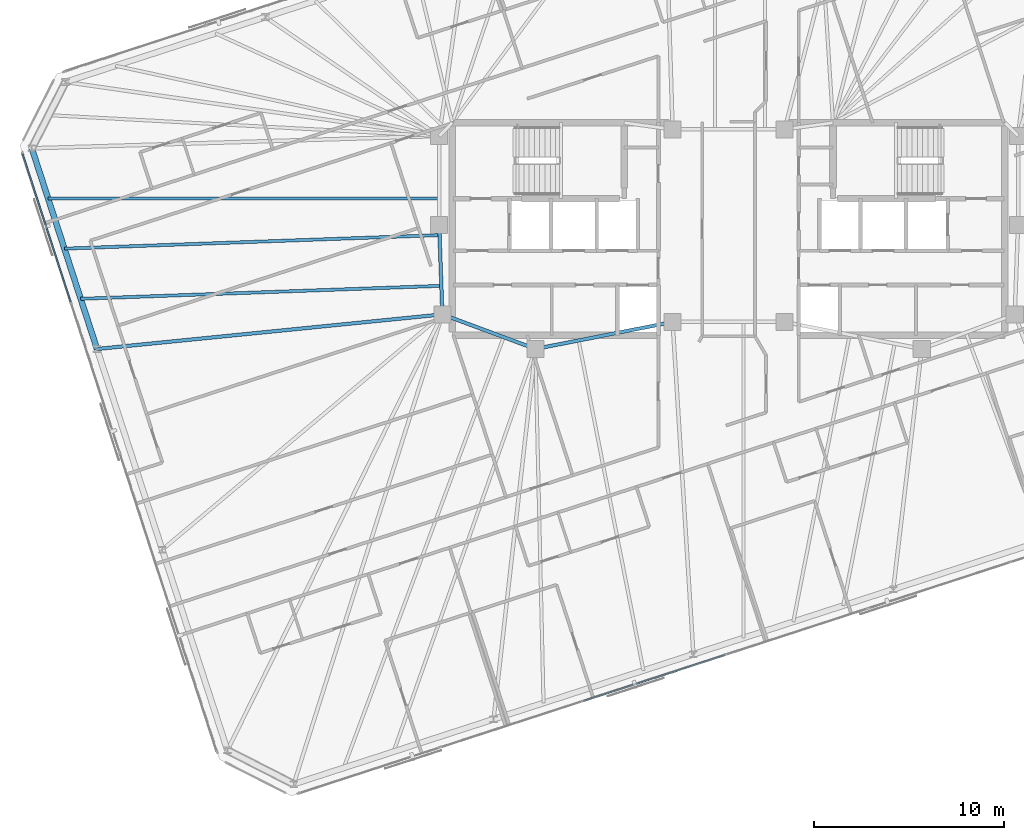
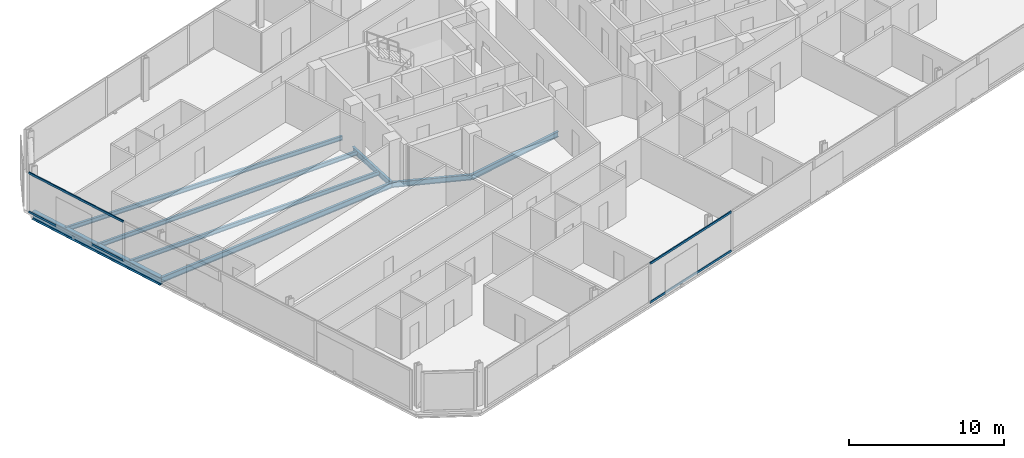
# One storey, part 6 of 19: 8 beams, 4 members, 2 elements without a shape of their own.
"""IFC4 building model written with IfcOpenShell, lengths in metres."""

from ifc_helpers import new_model, si_unit, direction, frame, origin, origin_2d, place, context, subcontext, project, spatial, rectangle, i_section, extrude, material, material_profile, profile_set, type_object, element, aggregate, save


model = new_model("IFC4")

# Units and contexts
model_context = context("Model", 3, precision=1e-05, world=origin(), true_north=direction((0.0, 1.0)))
body_context = subcontext(model_context, "Body", "Model", "MODEL_VIEW")
ifc_project = project(units=[si_unit("LENGTHUNIT", "METRE"), si_unit("AREAUNIT", "SQUARE_METRE"), si_unit("VOLUMEUNIT", "CUBIC_METRE"), si_unit("PLANEANGLEUNIT", "RADIAN"), si_unit("MASSUNIT", "GRAM", prefix="KILO")], contexts=[model_context])

# Site, building, storey
site_placement = place(None, origin())
site = spatial("IfcSite", under=ifc_project, at=site_placement, CompositionType="ELEMENT")
building_placement = place(site_placement, origin())
building = spatial("IfcBuilding", under=site, at=building_placement, Name="Menara Jurai Vektor", CompositionType="ELEMENT")
storey_placement = place(building_placement, frame((0.0, 0.0, 241.050048828125)))
storey = spatial("IfcBuildingStorey", under=building, at=storey_placement, Name="L64", CompositionType="ELEMENT", Elevation=241.050048828125)

# Curtain wall, members
ifc_material_1 = material(Name="Anodised Pale Aluminium & Low-E Double Glazing", Category="aluminium")
curtain_wall_type = type_object("IfcCurtainWallType", Name="CW-BLK4", PredefinedType="NOTDEFINED", material=ifc_material_1)
curtain_wall_1_placement = place(storey_placement, origin())
curtain_wall_1 = element("IfcCurtainWall", 1, at=curtain_wall_1_placement, inside=storey, type_object=curtain_wall_type, Name="Unitised Curtain Wall L64 F01", PredefinedType="NOTDEFINED")
ifc_material_2 = material(Name="Anodised Pale Aluminium Transom", Category="aluminium")
ifc_material_profile_1 = material_profile(ifc_material_2, rectangle(XDim=0.080078125, YDim=0.1650390625, at=origin_2d()), Name="ALU TRN 80x165")
ifc_profile_set_1 = profile_set([ifc_material_profile_1], Name="Anodised Pale Aluminium Transom")
member_type = type_object("IfcMemberType", Name="CW-BLK4-TRN", PredefinedType="USERDEFINED", material=ifc_profile_set_1)
member_1_placement = place(storey_placement, frame((-7.639404296875, -24.86669921875, 0.0400390625), z_axis=(0.951059330237, 0.309008333817, 0.0), x_axis=(-0.309008333817, 0.951059330237, 0.0)))
member_1 = element("IfcMember", 2, at=member_1_placement, type_object=member_type, Name="CW-04 transom 3.1", ObjectType="TRANSOM", PredefinedType="USERDEFINED", context=body_context, shape_type="SweptSolid", body=[
    extrude(rectangle(XDim=0.080078125, YDim=0.1650390625, at=origin_2d()), origin(), (0.0, 0.0, 1.0), 7.8115234375),
])
member_2_placement = place(storey_placement, frame((-7.639404296875, -24.86669921875, 3.0849609375), z_axis=(0.951059330237, 0.309008333817, 0.0), x_axis=(-0.309008333817, 0.951059330237, 0.0)))
member_2 = element("IfcMember", 3, at=member_2_placement, type_object=member_type, Name="CW-04 transom 3.2", ObjectType="TRANSOM", PredefinedType="USERDEFINED", context=body_context, shape_type="SweptSolid", body=[
    extrude(rectangle(XDim=0.080078125, YDim=0.1650390625, at=origin_2d()), origin(), (0.0, 0.0, 1.0), 7.8115234375),
])
aggregate(curtain_wall_1, [member_1, member_2])

curtain_wall_2_placement = place(storey_placement, origin())
curtain_wall_2 = element("IfcCurtainWall", 4, at=curtain_wall_2_placement, inside=storey, type_object=curtain_wall_type, Name="Unitised Curtain Wall L64 F07", PredefinedType="NOTDEFINED")
member_3_placement = place(storey_placement, frame((-37.19384765625, 3.950927734375, 0.0400390625), z_axis=(0.309010577384, -0.951058601278, 0.0), x_axis=(0.951058601278, 0.309010577384, 0.0)))
member_3 = element("IfcMember", 5, at=member_3_placement, type_object=member_type, Name="CW-04 transom 1.1", ObjectType="TRANSOM", PredefinedType="USERDEFINED", context=body_context, shape_type="SweptSolid", body=[
    extrude(rectangle(XDim=0.080078125, YDim=0.1650390625, at=origin_2d()), origin(), (0.0, 0.0, 1.0), 8.18994140625),
])
member_4_placement = place(storey_placement, frame((-37.19384765625, 3.950927734375, 3.0849609375), z_axis=(0.309010577384, -0.951058601278, 0.0), x_axis=(0.951058601278, 0.309010577384, 0.0)))
member_4 = element("IfcMember", 6, at=member_4_placement, type_object=member_type, Name="CW-04 transom 1.2", ObjectType="TRANSOM", PredefinedType="USERDEFINED", context=body_context, shape_type="SweptSolid", body=[
    extrude(rectangle(XDim=0.080078125, YDim=0.1650390625, at=origin_2d()), origin(), (0.0, 0.0, 1.0), 8.18994140625),
])
aggregate(curtain_wall_2, [member_3, member_4])

# Beams
ifc_material_3 = material(Name="Steel S355", Category="steel")
ifc_material_profile_2 = material_profile(ifc_material_3, i_section(OverallWidth=0.18505859375, OverallDepth=0.429931640625, WebThickness=0.010986328125, FlangeThickness=0.01806640625, at=origin_2d()), Name="PG 430x185x76")
ifc_profile_set_2 = profile_set([ifc_material_profile_2], Name="Steel S355")
beam_type_1 = type_object("IfcBeamType", Name="STR-BM-430", PredefinedType="BEAM", material=ifc_profile_set_2)
beam_1_placement = place(storey_placement, frame((-15.080078125, -4.5, -0.43994140625), z_axis=(-0.035977314146, 0.999352606874, 0.0), x_axis=(-0.999352606874, -0.035977314146, 0.0)))
element("IfcBeam", 7, at=beam_1_placement, inside=storey, type_object=beam_type_1, Name="Core Ring Header Girder L64-CHW-W2", PredefinedType="BEAM", context=body_context, shape_type="SweptSolid", body=[
    extrude(i_section(OverallWidth=0.18505859375, OverallDepth=0.429931640625, WebThickness=0.010986328125, FlangeThickness=0.01806640625, at=origin_2d()), origin(), (0.0, 0.0, 1.0), 4.72314453125),
])
beam_2_placement = place(storey_placement, frame((-15.080078125, -4.5, -0.43994140625), z_axis=(0.937424400887, -0.348188874925, 0.0), x_axis=(0.348188874925, 0.937424400887, 0.0)))
element("IfcBeam", 8, at=beam_2_placement, inside=storey, type_object=beam_type_1, Name="Core Ring Header Girder L64-CHW-S1", PredefinedType="BEAM", context=body_context, shape_type="SweptSolid", body=[
    extrude(i_section(OverallWidth=0.18505859375, OverallDepth=0.429931640625, WebThickness=0.010986328125, FlangeThickness=0.01806640625, at=origin_2d()), origin(), (0.0, 0.0, 1.0), 5.227294921875),
])
beam_3_placement = place(storey_placement, frame((-10.179931640625, -6.320068359375, -0.43994140625), z_axis=(0.981249044334, 0.192744164614, 0.0), x_axis=(-0.192744164614, 0.981249044334, 0.0)))
element("IfcBeam", 9, at=beam_3_placement, inside=storey, type_object=beam_type_1, Name="Core Ring Header Girder L64-CHW-S2", PredefinedType="BEAM", context=body_context, shape_type="SweptSolid", body=[
    extrude(i_section(OverallWidth=0.18505859375, OverallDepth=0.429931640625, WebThickness=0.010986328125, FlangeThickness=0.01806640625, at=origin_2d()), origin(), (0.0, 0.0, 1.0), 7.3681640625),
])
beam_4_placement = place(storey_placement, frame((-33.277587890625, -6.322509765625, -0.43994140625), z_axis=(0.995022243563, 0.099653072276, 0.0), x_axis=(-0.099653072276, 0.995022243563, 0.0)))
element("IfcBeam", 10, at=beam_4_placement, inside=storey, type_object=beam_type_1, Name="Radial Floor Girder L64-W2", PredefinedType="BEAM", context=body_context, shape_type="SweptSolid", body=[
    extrude(i_section(OverallWidth=0.18505859375, OverallDepth=0.429931640625, WebThickness=0.010986328125, FlangeThickness=0.01806640625, at=origin_2d()), origin(), (0.0, 0.0, 1.0), 18.28857421875),
])
ifc_material_profile_3 = material_profile(ifc_material_3, i_section(OverallWidth=0.1650390625, OverallDepth=0.330078125, WebThickness=0.009033203125, FlangeThickness=0.013916015625, at=origin_2d()), Name="PG 330x165x46")
ifc_profile_set_3 = profile_set([ifc_material_profile_3], Name="Steel S355")
beam_type_2 = type_object("IfcBeamType", Name="STR-JS-330", PredefinedType="JOIST", material=ifc_profile_set_3)
beam_5_placement = place(storey_placement, frame((-35.8544921875, 1.6083984375, -0.39013671875), z_axis=(1.0, 0.0, 0.0), x_axis=(0.0, 1.0, 0.0)))
element("IfcBeam", 11, at=beam_5_placement, inside=storey, type_object=beam_type_2, Name="Radial Secondary Floor Joist L64-JS28", PredefinedType="JOIST", context=body_context, shape_type="SweptSolid", body=[
    extrude(i_section(OverallWidth=0.1650390625, OverallDepth=0.330078125, WebThickness=0.009033203125, FlangeThickness=0.013916015625, at=origin_2d()), origin(), (0.0, 0.0, 1.0), 20.6044921875),
])
beam_6_placement = place(storey_placement, frame((-34.99560546875, -1.03515625, -0.39013671875), z_axis=(0.999351957959, 0.035995334734, 0.0), x_axis=(-0.035995334734, 0.999351957959, 0.0)))
element("IfcBeam", 12, at=beam_6_placement, inside=storey, type_object=beam_type_2, Name="Radial Secondary Floor Joist L64-JS29", PredefinedType="JOIST", context=body_context, shape_type="SweptSolid", body=[
    extrude(i_section(OverallWidth=0.1650390625, OverallDepth=0.330078125, WebThickness=0.009033203125, FlangeThickness=0.013916015625, at=origin_2d()), origin(), (0.0, 0.0, 1.0), 19.77783203125),
])
beam_7_placement = place(storey_placement, frame((-34.136474609375, -3.6787109375, -0.39013671875), z_axis=(0.999352161922, 0.035989671603, 0.0), x_axis=(-0.035989671603, 0.999352161922, 0.0)))
element("IfcBeam", 13, at=beam_7_placement, inside=storey, type_object=beam_type_2, Name="Radial Secondary Floor Joist L64-JS30", PredefinedType="JOIST", context=body_context, shape_type="SweptSolid", body=[
    extrude(i_section(OverallWidth=0.1650390625, OverallDepth=0.330078125, WebThickness=0.009033203125, FlangeThickness=0.013916015625, at=origin_2d()), origin(), (0.0, 0.0, 1.0), 19.014404296875),
])
ifc_material_profile_4 = material_profile(ifc_material_3, i_section(OverallWidth=0.306884765625, OverallDepth=0.6201171875, WebThickness=0.013916015625, FlangeThickness=0.02392578125, FilletRadius=0.01708984375, at=origin_2d()), Name="UKB 610x305x179")
ifc_profile_set_4 = profile_set([ifc_material_profile_4], Name="Steel S355")
beam_type_3 = type_object("IfcBeamType", Name="STR-SP-610", PredefinedType="SPANDREL", material=ifc_profile_set_4)
beam_8_placement = place(storey_placement, frame((-36.71337890625, 4.251953125, -0.53515625), z_axis=(0.309012092614, -0.95105810896, 0.0), x_axis=(0.95105810896, 0.309012092614, 0.0)))
element("IfcBeam", 14, at=beam_8_placement, inside=storey, type_object=beam_type_3, Name="Exoskeleton Spandrel Beam L64-17", PredefinedType="SPANDREL", context=body_context, shape_type="SweptSolid", body=[
    extrude(i_section(OverallWidth=0.306884765625, OverallDepth=0.6201171875, WebThickness=0.013916015625, FlangeThickness=0.02392578125, FilletRadius=0.01708984375, at=origin_2d()), origin(), (0.0, 0.0, 1.0), 11.11865234375),
])

save(model, "model.ifc")
